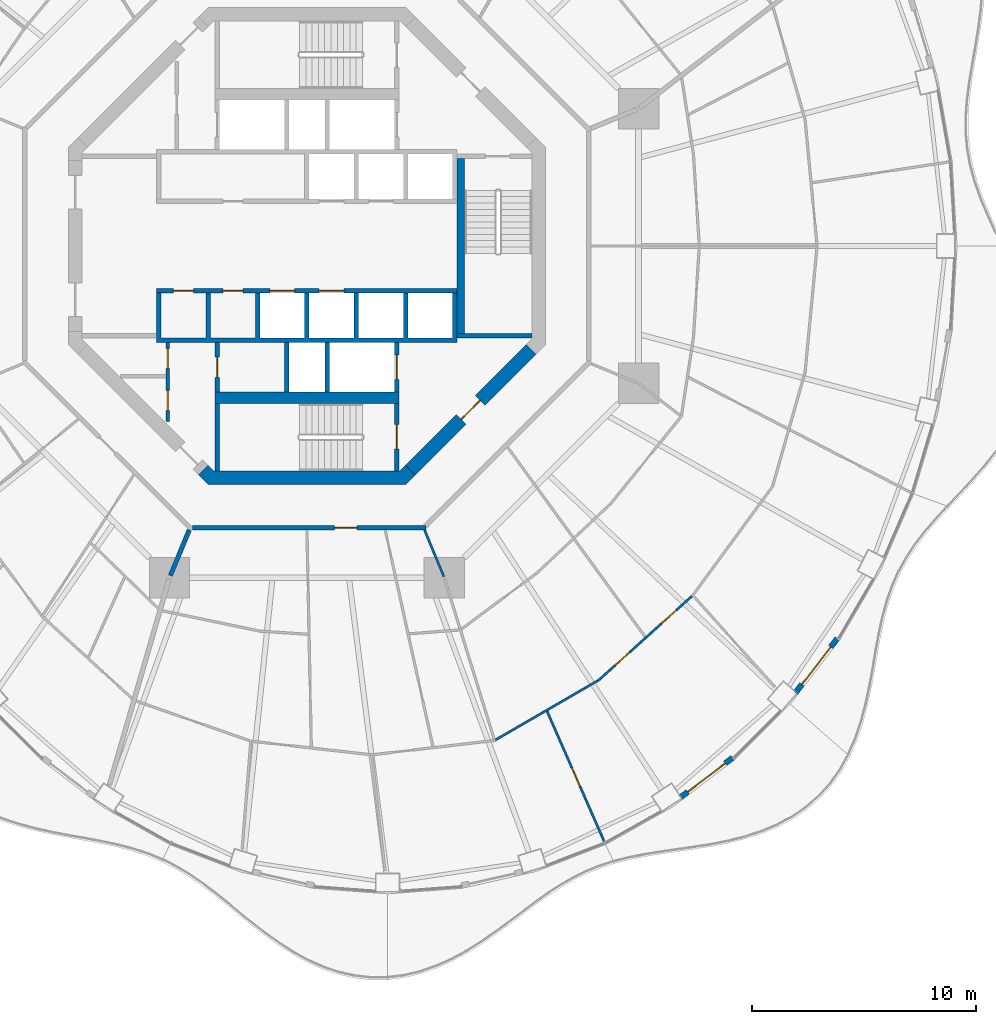
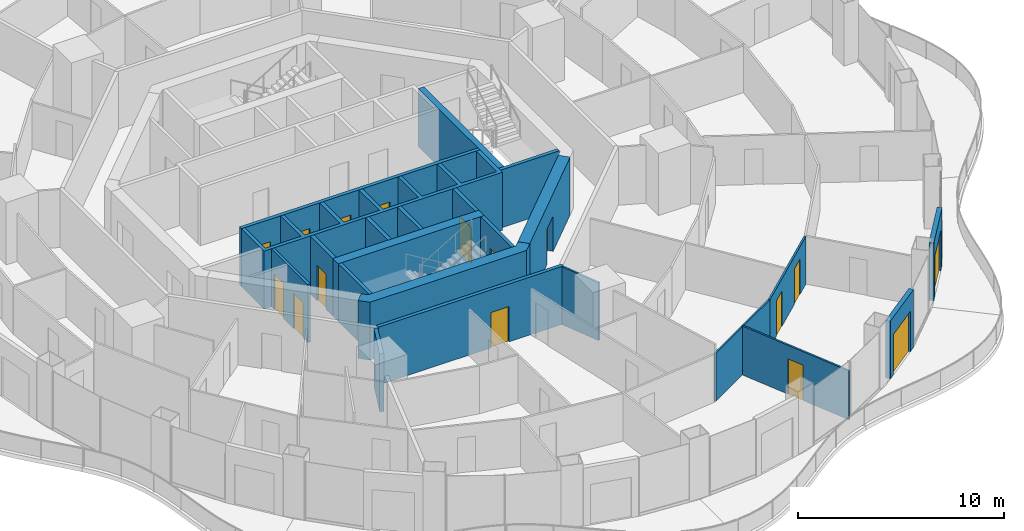
# One storey, part 12 of 19: 22 walls, 16 doors, 16 openings.
"""IFC4 building model written with IfcOpenShell, lengths in metres."""

from ifc_helpers import new_model, si_unit, direction, frame, frame_2d, origin, place, context, subcontext, project, spatial, polyline, rectangle, outline, extrude, material, layer, layer_set, type_object, element, fill, save


model = new_model("IFC4")

# Units and contexts
model_context = context("Model", 3, precision=1e-05, world=origin(), true_north=direction((0.0, 1.0)))
body_context = subcontext(model_context, "Body", "Model", "MODEL_VIEW")
ifc_project = project(units=[si_unit("LENGTHUNIT", "METRE"), si_unit("AREAUNIT", "SQUARE_METRE"), si_unit("VOLUMEUNIT", "CUBIC_METRE"), si_unit("PLANEANGLEUNIT", "RADIAN"), si_unit("MASSUNIT", "GRAM", prefix="KILO")], contexts=[model_context])

# Site, building, storey
site_placement = place(None, origin())
site = spatial("IfcSite", under=ifc_project, at=site_placement, CompositionType="ELEMENT")
building_placement = place(site_placement, origin())
building = spatial("IfcBuilding", under=site, at=building_placement, Name="Nagisa Residences", CompositionType="ELEMENT")
storey_placement = place(building_placement, frame((0.0, 0.0, 199.199951171875)))
storey = spatial("IfcBuildingStorey", under=building, at=storey_placement, Name="L50", CompositionType="ELEMENT", Elevation=199.199951171875)

# Wall
ifc_material_1 = material(Name="Gypsum board on steel studs", Category="steel")
ifc_layer_1 = layer(ifc_material_1, 0.199951171875)
ifc_layer_set_1 = layer_set([ifc_layer_1], Name="Apartment compartment wall EI60 200")
wall_type_1 = type_object("IfcWallType", Name="Apartment compartment wall EI60 200", PredefinedType="PARTITIONING", material=ifc_layer_set_1)
wall_1_placement = place(storey_placement, frame((-5.24267578125, -12.6572265625, 0.0), z_axis=(0.0, 0.0, 1.0), x_axis=(-0.382707856524, -0.923869415315, 0.0)))
element("IfcWall", 1, at=wall_1_placement, inside=storey, type_object=wall_type_1, Name="wall:L50:u04", PredefinedType="PARTITIONING", context=body_context, shape_type="SweptSolid", body=[
    extrude(rectangle(XDim=2.2001953125, YDim=0.199951171875, at=frame_2d((1.10009765625, 0.0))), origin(), (0.0, 0.0, 1.0), 3.43994140625),
])

# Wall, opening, door
ifc_material_2 = material(Name="Gypsum board on steel studs", Category="steel")
ifc_layer_2 = layer(ifc_material_2, 0.199951171875)
ifc_layer_set_2 = layer_set([ifc_layer_2], Name="Apartment entry wall EI60 200")
wall_type_2 = type_object("IfcWallType", Name="Apartment entry wall EI60 200", PredefinedType="PARTITIONING", material=ifc_layer_set_2)
wall_2_placement = place(storey_placement, frame((-5.1044921875, -12.564697265625, 0.0), z_axis=(0.0, 0.0, 1.0), x_axis=(1.0, 0.0, 0.0)))
wall_2 = element("IfcWall", 2, at=wall_2_placement, inside=storey, type_object=wall_type_2, Name="wall:L50:u12", PredefinedType="PARTITIONING", context=body_context, shape_type="SweptSolid", body=[
    extrude(rectangle(XDim=10.408935546875, YDim=0.199951171875, at=frame_2d((5.20458984375, 0.0))), origin(), (0.0, 0.0, 1.0), 3.43994140625),
])
opening_1_placement = place(wall_2_placement, frame((6.33935546875, 0.0, 0.0)))
opening_1 = element("IfcOpeningElement", 3, at=opening_1_placement, cuts=wall_2, Name="Opening L50-U01", PredefinedType="OPENING", context=body_context, shape_type="SweptSolid", body=[
    extrude(rectangle(XDim=1.0, YDim=2.10009765625, at=frame_2d((0.5, 1.050048828125))), frame((0.0, 0.10986328125, 0.0), z_axis=(0.0, -1.0, 0.0), x_axis=(1.0, 0.0, 0.0)), (0.0, 0.0, 1.0), 0.219970703125),
])
ifc_material_3 = material(Name="Timber fire door set", Category="wood")
door_type_1 = type_object("IfcDoorType", Name="Apartment entry door FD30S 1000x2100", OperationType="NOTDEFINED", PredefinedType="DOOR", material=ifc_material_3)
door_1_placement = place(opening_1_placement, frame((1.0, 0.0, 0.0), x_axis=(-1.0, 0.0, 0.0)))
door_1 = element("IfcDoor", 4, at=door_1_placement, inside=storey, type_object=door_type_1, Name="Entry door, Apartment 50A", OperationType="SINGLE_SWING_RIGHT", OverallHeight=2.10009765625, OverallWidth=1.0, PredefinedType="DOOR", context=body_context, shape_type="SweptSolid", body=[
    extrude(rectangle(XDim=1.0, YDim=2.10009765625, at=frame_2d((0.5, 1.050048828125))), frame((0.0, 0.02490234375, 0.0), z_axis=(0.0, -1.0, 0.0), x_axis=(1.0, 0.0, 0.0)), (0.0, 0.0, 1.0), 0.050048828125),
])
fill(opening_1, door_1)

# Walls
ifc_material_4 = material(Name="Gypsum board on steel studs", Category="steel")
ifc_layer_3 = layer(ifc_material_4, 0.10009765625)
ifc_layer_set_3 = layer_set([ifc_layer_3], Name="Apartment partition 100")
wall_type_3 = type_object("IfcWallType", Name="Apartment partition 100", PredefinedType="PARTITIONING", material=ifc_layer_set_3)
wall_3_placement = place(storey_placement, frame((5.24267578125, -12.6572265625, 0.0), z_axis=(0.0, 0.0, 1.0), x_axis=(0.382719158442, -0.923864733477, 0.0)))
element("IfcWall", 5, at=wall_3_placement, inside=storey, type_object=wall_type_3, Name="wall:L50:u76", PredefinedType="PARTITIONING", context=body_context, shape_type="SweptSolid", body=[
    extrude(rectangle(XDim=2.25, YDim=0.10009765625, at=frame_2d((1.125, 0.0))), origin(), (0.0, 0.0, 1.0), 3.43994140625),
])
wall_4_placement = place(storey_placement, frame((8.405029296875, -22.01318359375, 0.0), z_axis=(0.0, 0.0, 1.0), x_axis=(0.865277177388, 0.501293732547, 0.0)))
element("IfcWall", 6, at=wall_4_placement, inside=storey, type_object=wall_type_3, Name="wall:L50:u79", PredefinedType="PARTITIONING", context=body_context, shape_type="SweptSolid", body=[
    extrude(rectangle(XDim=5.27001953125, YDim=0.10009765625, at=frame_2d((2.635009765625, 0.0))), origin(), (0.0, 0.0, 1.0), 2.837158203125),
])

# Wall, opening, door
wall_5_placement = place(storey_placement, frame((10.705078125, -20.738037109375, 0.0), z_axis=(0.0, 0.0, 1.0), x_axis=(0.401740633891, -0.915753494714, 0.0)))
wall_5 = element("IfcWall", 7, at=wall_5_placement, inside=storey, type_object=wall_type_3, Name="wall:L50:u80", PredefinedType="PARTITIONING", context=body_context, shape_type="SweptSolid", body=[
    extrude(rectangle(XDim=6.4453125, YDim=0.10009765625, at=frame_2d((3.22265625, 0.0))), origin(), (0.0, 0.0, 1.0), 2.905029296875),
])
opening_2_placement = place(wall_5_placement, frame((2.772705078125, 0.0, 0.0)))
opening_2 = element("IfcOpeningElement", 8, at=opening_2_placement, cuts=wall_5, Name="Opening L50-U09", PredefinedType="OPENING", context=body_context, shape_type="SweptSolid", body=[
    extrude(rectangle(XDim=0.89990234375, YDim=2.10009765625, at=frame_2d((0.449951171875, 1.050048828125))), frame((0.0, 0.06005859375, 0.0), z_axis=(0.0, -1.0, 0.0), x_axis=(1.0, 0.0, 0.0)), (0.0, 0.0, 1.0), 0.1201171875),
])
ifc_material_5 = material(Name="Timber door set", Category="wood")
door_type_2 = type_object("IfcDoorType", Name="Apartment door 900x2100", OperationType="NOTDEFINED", PredefinedType="DOOR", material=ifc_material_5)
door_2_placement = place(opening_2_placement, origin())
door_2 = element("IfcDoor", 9, at=door_2_placement, inside=storey, type_object=door_type_2, Name="Door to living room, Apartment 50A", OperationType="SINGLE_SWING_LEFT", OverallHeight=2.10009765625, OverallWidth=0.89990234375, PredefinedType="DOOR", context=body_context, shape_type="SweptSolid", body=[
    extrude(rectangle(XDim=0.89990234375, YDim=2.10009765625, at=frame_2d((0.449951171875, 1.050048828125))), frame((0.0, 0.02490234375, 0.0), z_axis=(0.0, -1.0, 0.0), x_axis=(1.0, 0.0, 0.0)), (0.0, 0.0, 1.0), 0.050048828125),
])
fill(opening_2, door_2)

# Wall, openings, doors
wall_6_placement = place(storey_placement, frame((12.97119140625, -19.3798828125, 0.0), z_axis=(0.0, 0.0, 1.0), x_axis=(0.742768881471, 0.669547898748, 0.0)))
wall_6 = element("IfcWall", 10, at=wall_6_placement, inside=storey, type_object=wall_type_3, Name="wall:L50:u82", PredefinedType="PARTITIONING", context=body_context, shape_type="SweptSolid", body=[
    extrude(rectangle(XDim=5.6416015625, YDim=0.10009765625, at=frame_2d((2.82080078125, 0.0))), origin(), (0.0, 0.0, 1.0), 2.837158203125),
])
opening_3_placement = place(wall_6_placement, frame((1.010498046875, 0.0, 0.0)))
opening_3 = element("IfcOpeningElement", 11, at=opening_3_placement, cuts=wall_6, Name="Opening L50-U13", PredefinedType="OPENING", context=body_context, shape_type="SweptSolid", body=[
    extrude(rectangle(XDim=0.89990234375, YDim=2.10009765625, at=frame_2d((0.449951171875, 1.050048828125))), frame((0.0, 0.06005859375, 0.0), z_axis=(0.0, -1.0, 0.0), x_axis=(1.0, 0.0, 0.0)), (0.0, 0.0, 1.0), 0.1201171875),
])
opening_4_placement = place(wall_6_placement, frame((3.806396484375, 0.0, 0.0)))
opening_4 = element("IfcOpeningElement", 12, at=opening_4_placement, cuts=wall_6, Name="Opening L50-U14", PredefinedType="OPENING", context=body_context, shape_type="SweptSolid", body=[
    extrude(rectangle(XDim=0.89990234375, YDim=2.10009765625, at=frame_2d((0.449951171875, 1.050048828125))), frame((0.0, 0.06005859375, 0.0), z_axis=(0.0, -1.0, 0.0), x_axis=(1.0, 0.0, 0.0)), (0.0, 0.0, 1.0), 0.1201171875),
])
door_3_placement = place(opening_3_placement, origin())
door_3 = element("IfcDoor", 13, at=door_3_placement, inside=storey, type_object=door_type_2, Name="Door to kitchen, Apartment 50A", OperationType="SINGLE_SWING_LEFT", OverallHeight=2.10009765625, OverallWidth=0.89990234375, PredefinedType="DOOR", context=body_context, shape_type="SweptSolid", body=[
    extrude(rectangle(XDim=0.89990234375, YDim=2.10009765625, at=frame_2d((0.449951171875, 1.050048828125))), frame((0.0, 0.02490234375, 0.0), z_axis=(0.0, -1.0, 0.0), x_axis=(1.0, 0.0, 0.0)), (0.0, 0.0, 1.0), 0.050048828125),
])
fill(opening_3, door_3)
door_4_placement = place(opening_4_placement, origin())
door_4 = element("IfcDoor", 14, at=door_4_placement, inside=storey, type_object=door_type_2, Name="Door to dining room, Apartment 50A", OperationType="SINGLE_SWING_RIGHT", OverallHeight=2.10009765625, OverallWidth=0.89990234375, PredefinedType="DOOR", context=body_context, shape_type="SweptSolid", body=[
    extrude(rectangle(XDim=0.89990234375, YDim=2.10009765625, at=frame_2d((0.449951171875, 1.050048828125))), frame((0.0, 0.02490234375, 0.0), z_axis=(0.0, -1.0, 0.0), x_axis=(1.0, 0.0, 0.0)), (0.0, 0.0, 1.0), 0.050048828125),
])
fill(opening_4, door_4)

# Wall, opening, door
ifc_material_6 = material(Name="Precast concrete C40/50", Category="concrete")
ifc_layer_4 = layer(ifc_material_6, 0.25)
ifc_layer_set_4 = layer_set([ifc_layer_4], Name="BALCONY DOOR WALL 250")
wall_type_4 = type_object("IfcWallType", Name="BALCONY DOOR WALL 250", PredefinedType="SOLIDWALL", material=ifc_layer_set_4)
wall_7_placement = place(storey_placement, frame((18.9716796875, -22.80859375, 0.0), z_axis=(0.0, 0.0, 1.0), x_axis=(-0.796055733703, -0.60522332146, 0.0)))
wall_7 = element("IfcWall", 15, at=wall_7_placement, inside=storey, type_object=wall_type_4, Name="wall:L50:bay40", PredefinedType="SOLIDWALL", context=body_context, shape_type="SweptSolid", body=[
    extrude(rectangle(XDim=2.9169921875, YDim=0.25, at=frame_2d((1.45849609375, 0.0))), origin(), (0.0, 0.0, 1.0), 3.43994140625),
])
opening_5_placement = place(wall_7_placement, frame((0.408447265625, 0.0, 0.0)))
opening_5 = element("IfcOpeningElement", 16, at=opening_5_placement, cuts=wall_7, Name="Opening BD-L50-14", PredefinedType="OPENING", context=body_context, shape_type="SweptSolid", body=[
    extrude(rectangle(XDim=2.10009765625, YDim=2.39990234375, at=frame_2d((1.050048828125, 1.199951171875))), frame((0.0, 0.135009765625, 0.0), z_axis=(0.0, -1.0, 0.0), x_axis=(1.0, 0.0, 0.0)), (0.0, 0.0, 1.0), 0.27001953125),
])
ifc_material_7 = material(Name="Aluminium and clear glass", Category="aluminium")
door_type_3 = type_object("IfcDoorType", Name="BALCONY SLIDING DOOR 2100x2400", OperationType="SLIDING_TO_LEFT", PredefinedType="DOOR", material=ifc_material_7)
door_5_placement = place(opening_5_placement, origin())
door_5 = element("IfcDoor", 17, at=door_5_placement, inside=storey, type_object=door_type_3, Name="door:L50:bay40", OperationType="SLIDING_TO_LEFT", OverallHeight=2.39990234375, OverallWidth=2.10009765625, PredefinedType="DOOR", context=body_context, shape_type="SweptSolid", body=[
    extrude(rectangle(XDim=2.10009765625, YDim=2.39990234375, at=frame_2d((1.050048828125, 1.199951171875))), frame((0.0, 0.02490234375, 0.0), z_axis=(0.0, -1.0, 0.0), x_axis=(1.0, 0.0, 0.0)), (0.0, 0.0, 1.0), 0.050048828125),
])
fill(opening_5, door_5)

wall_8_placement = place(storey_placement, frame((23.63232421875, -17.501708984375, 0.0), z_axis=(0.0, 0.0, 1.0), x_axis=(-0.610437428894, -0.79206448311, 0.0)))
wall_8 = element("IfcWall", 18, at=wall_8_placement, inside=storey, type_object=wall_type_4, Name="wall:L50:bay42", PredefinedType="SOLIDWALL", context=body_context, shape_type="SweptSolid", body=[
    extrude(rectangle(XDim=3.03515625, YDim=0.25, at=frame_2d((1.517578125, 0.0))), origin(), (0.0, 0.0, 1.0), 3.43994140625),
])
opening_6_placement = place(wall_8_placement, frame((0.467529296875, 0.0, 0.0)))
opening_6 = element("IfcOpeningElement", 19, at=opening_6_placement, cuts=wall_8, Name="Opening BD-L50-15", PredefinedType="OPENING", context=body_context, shape_type="SweptSolid", body=[
    extrude(rectangle(XDim=2.10009765625, YDim=2.39990234375, at=frame_2d((1.050048828125, 1.199951171875))), frame((0.0, 0.135009765625, 0.0), z_axis=(0.0, -1.0, 0.0), x_axis=(1.0, 0.0, 0.0)), (0.0, 0.0, 1.0), 0.27001953125),
])
door_6_placement = place(opening_6_placement, origin())
door_6 = element("IfcDoor", 20, at=door_6_placement, inside=storey, type_object=door_type_3, Name="door:L50:bay42", OperationType="SLIDING_TO_LEFT", OverallHeight=2.39990234375, OverallWidth=2.10009765625, PredefinedType="DOOR", context=body_context, shape_type="SweptSolid", body=[
    extrude(rectangle(XDim=2.10009765625, YDim=2.39990234375, at=frame_2d((1.050048828125, 1.199951171875))), frame((0.0, 0.02490234375, 0.0), z_axis=(0.0, -1.0, 0.0), x_axis=(1.0, 0.0, 0.0)), (0.0, 0.0, 1.0), 0.050048828125),
])
fill(opening_6, door_6)

# Wall, openings, doors
ifc_material_8 = material(Name="Gypsum board on steel studs", Category="steel")
ifc_layer_5 = layer(ifc_material_8, 0.14990234375)
ifc_layer_set_5 = layer_set([ifc_layer_5], Name="Core partition 150")
wall_type_5 = type_object("IfcWallType", Name="Core partition 150", PredefinedType="PARTITIONING", material=ifc_layer_set_5)
wall_9_placement = place(storey_placement, frame((-6.199951171875, -7.826904296875, 0.0), z_axis=(0.0, 0.0, 1.0), x_axis=(0.0, 1.0, 0.0)))
wall_9 = element("IfcWall", 21, at=wall_9_placement, inside=storey, type_object=wall_type_5, Name="wall:L50:SWp", PredefinedType="PARTITIONING", context=body_context, shape_type="SweptSolid", body=[
    extrude(rectangle(XDim=3.52685546875, YDim=0.14990234375, at=frame_2d((1.763427734375, 0.0))), origin(), (0.0, 0.0, 1.0), 3.43994140625),
])
opening_7_placement = place(wall_9_placement, frame((2.364501953125, 0.0, 0.0)))
opening_7 = element("IfcOpeningElement", 22, at=opening_7_placement, cuts=wall_9, Name="Opening L50-C12", PredefinedType="OPENING", context=body_context, shape_type="SweptSolid", body=[
    extrude(rectangle(XDim=0.89990234375, YDim=2.10009765625, at=frame_2d((0.449951171875, 1.050048828125))), frame((0.0, 0.0849609375, 0.0), z_axis=(0.0, -1.0, 0.0), x_axis=(1.0, 0.0, 0.0)), (0.0, 0.0, 1.0), 0.169921875),
])
opening_8_placement = place(wall_9_placement, frame((0.488525390625, 0.0, 0.0)))
opening_8 = element("IfcOpeningElement", 23, at=opening_8_placement, cuts=wall_9, Name="Opening L50-C13", PredefinedType="OPENING", context=body_context, shape_type="SweptSolid", body=[
    extrude(rectangle(XDim=0.89990234375, YDim=2.10009765625, at=frame_2d((0.449951171875, 1.050048828125))), frame((0.0, 0.0849609375, 0.0), z_axis=(0.0, -1.0, 0.0), x_axis=(1.0, 0.0, 0.0)), (0.0, 0.0, 1.0), 0.169921875),
])
ifc_material_9 = material(Name="Steel fire door", Category="steel")
door_type_4 = type_object("IfcDoorType", Name="Fire door EI30 900x2100 single swing", OperationType="NOTDEFINED", PredefinedType="DOOR", material=ifc_material_9)
door_7_placement = place(opening_7_placement, origin())
door_7 = element("IfcDoor", 24, at=door_7_placement, inside=storey, type_object=door_type_4, Name="Cleaner store door L50", OperationType="SINGLE_SWING_LEFT", OverallHeight=2.10009765625, OverallWidth=0.89990234375, PredefinedType="DOOR", context=body_context, shape_type="SweptSolid", body=[
    extrude(rectangle(XDim=0.89990234375, YDim=2.10009765625, at=frame_2d((0.449951171875, 1.050048828125))), frame((0.0, 0.02490234375, 0.0), z_axis=(0.0, -1.0, 0.0), x_axis=(1.0, 0.0, 0.0)), (0.0, 0.0, 1.0), 0.050048828125),
])
fill(opening_7, door_7)
door_8_placement = place(opening_8_placement, origin())
door_8 = element("IfcDoor", 25, at=door_8_placement, inside=storey, type_object=door_type_4, Name="Package room door L50", OperationType="SINGLE_SWING_LEFT", OverallHeight=2.10009765625, OverallWidth=0.89990234375, PredefinedType="DOOR", context=body_context, shape_type="SweptSolid", body=[
    extrude(rectangle(XDim=0.89990234375, YDim=2.10009765625, at=frame_2d((0.449951171875, 1.050048828125))), frame((0.0, 0.02490234375, 0.0), z_axis=(0.0, -1.0, 0.0), x_axis=(1.0, 0.0, 0.0)), (0.0, 0.0, 1.0), 0.050048828125),
])
fill(opening_8, door_8)

# Wall, opening, door
ifc_material_10 = material(Name="Concrete C60", Category="concrete")
ifc_layer_6 = layer(ifc_material_10, 0.60009765625)
ifc_layer_set_6 = layer_set([ifc_layer_6], Name="Core shear wall 600")
wall_type_6 = type_object("IfcWallType", Name="Core shear wall 600", PredefinedType="SHEAR", material=ifc_layer_set_6)
wall_10_placement = place(storey_placement, frame((4.613037109375, -9.98828125, 0.0), z_axis=(0.0, 0.0, 1.0), x_axis=(0.707106781187, 0.707106781187, 0.0)))
wall_10 = element("IfcWall", 26, at=wall_10_placement, inside=storey, type_object=wall_type_6, Name="wall:L50:core:flat7", PredefinedType="SHEAR", context=body_context, shape_type="SweptSolid", body=[
    extrude(rectangle(XDim=7.601806640625, YDim=0.60009765625, at=frame_2d((3.80078125, 0.0))), origin(), (0.0, 0.0, 1.0), 3.43994140625),
])
opening_9_placement = place(wall_10_placement, frame((3.200927734375, 0.0, 0.0)))
opening_9 = element("IfcOpeningElement", 27, at=opening_9_placement, cuts=wall_10, Name="Opening L50-C19", PredefinedType="OPENING", context=body_context, shape_type="SweptSolid", body=[
    extrude(rectangle(XDim=1.199951171875, YDim=2.10009765625, at=frame_2d((0.60009765625, 1.050048828125))), frame((0.0, 0.31005859375, 0.0), z_axis=(0.0, -1.0, 0.0), x_axis=(1.0, 0.0, 0.0)), (0.0, 0.0, 1.0), 0.6201171875),
])
ifc_material_11 = material(Name="Steel fire door", Category="steel")
door_type_5 = type_object("IfcDoorType", Name="Fire door EI60 1200x2100 single swing", OperationType="NOTDEFINED", PredefinedType="DOOR", material=ifc_material_11)
door_9_placement = place(opening_9_placement, origin())
door_9 = element("IfcDoor", 28, at=door_9_placement, inside=storey, type_object=door_type_5, Name="Firefighting lobby 2 door L50", OperationType="SINGLE_SWING_RIGHT", OverallHeight=2.10009765625, OverallWidth=1.199951171875, PredefinedType="DOOR", context=body_context, shape_type="SweptSolid", body=[
    extrude(rectangle(XDim=1.199951171875, YDim=2.10009765625, at=frame_2d((0.60009765625, 1.050048828125))), frame((0.0, 0.02490234375, 0.0), z_axis=(0.0, -1.0, 0.0), x_axis=(1.0, 0.0, 0.0)), (0.0, 0.0, 1.0), 0.050048828125),
])
fill(opening_9, door_9)

# Wall
wall_11_placement = place(storey_placement, origin())
element("IfcWall", 29, at=wall_11_placement, inside=storey, type_object=wall_type_6, Name="wall:L50:core:flat6", PredefinedType="SHEAR", context=body_context, shape_type="SweptSolid", body=[
    extrude(outline(polyline([(-4.15234375, -10.024658203125), (4.15234375, -10.024658203125), (4.40087890625, -9.776123046875), (4.8251953125, -10.200439453125), (4.40087890625, -10.62451171875), (-4.40087890625, -10.62451171875), (-4.8251953125, -10.200439453125), (-4.40087890625, -9.776123046875), (-4.15234375, -10.024658203125)])), origin(), (0.0, 0.0, 1.0), 3.43994140625),
])

# Wall, opening, door
ifc_material_12 = material(Name="Concrete C60", Category="concrete")
ifc_layer_7 = layer(ifc_material_12, 0.199951171875)
ifc_layer_set_7 = layer_set([ifc_layer_7], Name="Lift shaft wall 200")
wall_type_7 = type_object("IfcWallType", Name="Lift shaft wall 200", PredefinedType="SOLIDWALL", material=ifc_layer_set_7)
wall_12_placement = place(storey_placement, frame((4.0, -6.5, 0.0), z_axis=(0.0, 0.0, 1.0), x_axis=(0.0, 1.0, 0.0)))
wall_12 = element("IfcWall", 30, at=wall_12_placement, inside=storey, type_object=wall_type_7, Name="wall:L50:Sb3", PredefinedType="SOLIDWALL", context=body_context, shape_type="SweptSolid", body=[
    extrude(rectangle(XDim=2.199951171875, YDim=0.199951171875, at=frame_2d((1.10009765625, 0.0))), origin(), (0.0, 0.0, 1.0), 3.43994140625),
])
opening_10_placement = place(wall_12_placement, frame((0.550048828125, 0.0, 0.0)))
opening_10 = element("IfcOpeningElement", 31, at=opening_10_placement, cuts=wall_12, Name="Opening L50-C06", PredefinedType="OPENING", context=body_context, shape_type="SweptSolid", body=[
    extrude(rectangle(XDim=1.10009765625, YDim=2.10009765625, at=frame_2d((0.550048828125, 1.050048828125))), frame((0.0, 0.10986328125, 0.0), z_axis=(0.0, -1.0, 0.0), x_axis=(1.0, 0.0, 0.0)), (0.0, 0.0, 1.0), 0.219970703125),
])
ifc_material_13 = material(Name="Stainless steel", Category="steel")
door_type_6 = type_object("IfcDoorType", Name="Lift landing door 1100x2100", OperationType="DOUBLE_DOOR_SLIDING", PredefinedType="DOOR", material=ifc_material_13)
door_10_placement = place(opening_10_placement, origin())
door_10 = element("IfcDoor", 32, at=door_10_placement, inside=storey, type_object=door_type_6, Name="Landing door FL2 L50", OperationType="DOUBLE_DOOR_SLIDING", OverallHeight=2.10009765625, OverallWidth=1.10009765625, PredefinedType="DOOR", context=body_context, shape_type="SweptSolid", body=[
    extrude(rectangle(XDim=1.10009765625, YDim=2.10009765625, at=frame_2d((0.550048828125, 1.050048828125))), frame((0.0, 0.02490234375, 0.0), z_axis=(0.0, -1.0, 0.0), x_axis=(1.0, 0.0, 0.0)), (0.0, 0.0, 1.0), 0.050048828125),
])
fill(opening_10, door_10)

wall_13_placement = place(storey_placement, frame((-4.0, -6.5, 0.0), z_axis=(0.0, 0.0, 1.0), x_axis=(0.0, 1.0, 0.0)))
wall_13 = element("IfcWall", 33, at=wall_13_placement, inside=storey, type_object=wall_type_7, Name="wall:L50:Sb4", PredefinedType="SOLIDWALL", context=body_context, shape_type="SweptSolid", body=[
    extrude(rectangle(XDim=2.199951171875, YDim=0.199951171875, at=frame_2d((1.10009765625, 0.0))), origin(), (0.0, 0.0, 1.0), 3.43994140625),
])
opening_11_placement = place(wall_13_placement, frame((0.64990234375, 0.0, 0.0)))
opening_11 = element("IfcOpeningElement", 34, at=opening_11_placement, cuts=wall_13, Name="Opening L50-C14", PredefinedType="OPENING", context=body_context, shape_type="SweptSolid", body=[
    extrude(rectangle(XDim=0.89990234375, YDim=2.10009765625, at=frame_2d((0.449951171875, 1.050048828125))), frame((0.0, 0.10986328125, 0.0), z_axis=(0.0, -1.0, 0.0), x_axis=(1.0, 0.0, 0.0)), (0.0, 0.0, 1.0), 0.219970703125),
])
door_11_placement = place(opening_11_placement, frame((0.89990234375, 0.0, 0.0), x_axis=(-1.0, 0.0, 0.0)))
door_11 = element("IfcDoor", 35, at=door_11_placement, inside=storey, type_object=door_type_4, Name="Refuse room door L50", OperationType="SINGLE_SWING_RIGHT", OverallHeight=2.10009765625, OverallWidth=0.89990234375, PredefinedType="DOOR", context=body_context, shape_type="SweptSolid", body=[
    extrude(rectangle(XDim=0.89990234375, YDim=2.10009765625, at=frame_2d((0.449951171875, 1.050048828125))), frame((0.0, 0.02490234375, 0.0), z_axis=(0.0, -1.0, 0.0), x_axis=(1.0, 0.0, 0.0)), (0.0, 0.0, 1.0), 0.050048828125),
])
fill(opening_11, door_11)

# Wall, openings, doors
wall_14_placement = place(storey_placement, frame((-6.699951171875, -2.0, 0.0), z_axis=(0.0, 0.0, 1.0), x_axis=(1.0, 0.0, 0.0)))
wall_14 = element("IfcWall", 36, at=wall_14_placement, inside=storey, type_object=wall_type_7, Name="wall:L50:Sfront", PredefinedType="SOLIDWALL", context=body_context, shape_type="SweptSolid", body=[
    extrude(rectangle(XDim=13.39990234375, YDim=0.199951171875, at=frame_2d((6.699951171875, 0.0))), origin(), (0.0, 0.0, 1.0), 3.43994140625),
])
opening_12_placement = place(wall_14_placement, frame((5.050048828125, 0.0, 0.0)))
opening_12 = element("IfcOpeningElement", 37, at=opening_12_placement, cuts=wall_14, Name="Opening L50-C03", PredefinedType="OPENING", context=body_context, shape_type="SweptSolid", body=[
    extrude(rectangle(XDim=1.10009765625, YDim=2.10009765625, at=frame_2d((0.550048828125, 1.050048828125))), frame((0.0, 0.10986328125, 0.0), z_axis=(0.0, -1.0, 0.0), x_axis=(1.0, 0.0, 0.0)), (0.0, 0.0, 1.0), 0.219970703125),
])
opening_13_placement = place(wall_14_placement, frame((7.25, 0.0, 0.0)))
opening_13 = element("IfcOpeningElement", 38, at=opening_13_placement, cuts=wall_14, Name="Opening L50-C04", PredefinedType="OPENING", context=body_context, shape_type="SweptSolid", body=[
    extrude(rectangle(XDim=1.10009765625, YDim=2.10009765625, at=frame_2d((0.550048828125, 1.050048828125))), frame((0.0, 0.10986328125, 0.0), z_axis=(0.0, -1.0, 0.0), x_axis=(1.0, 0.0, 0.0)), (0.0, 0.0, 1.0), 0.219970703125),
])
opening_14_placement = place(wall_14_placement, frame((0.75, 0.0, 0.0)))
opening_14 = element("IfcOpeningElement", 39, at=opening_14_placement, cuts=wall_14, Name="Opening L50-C16", PredefinedType="OPENING", context=body_context, shape_type="SweptSolid", body=[
    extrude(rectangle(XDim=0.89990234375, YDim=2.10009765625, at=frame_2d((0.449951171875, 1.050048828125))), frame((0.0, 0.10986328125, 0.0), z_axis=(0.0, -1.0, 0.0), x_axis=(1.0, 0.0, 0.0)), (0.0, 0.0, 1.0), 0.219970703125),
])
opening_15_placement = place(wall_14_placement, frame((2.949951171875, 0.0, 0.0)))
opening_15 = element("IfcOpeningElement", 40, at=opening_15_placement, cuts=wall_14, Name="Opening L50-C17", PredefinedType="OPENING", context=body_context, shape_type="SweptSolid", body=[
    extrude(rectangle(XDim=0.89990234375, YDim=2.10009765625, at=frame_2d((0.449951171875, 1.050048828125))), frame((0.0, 0.10986328125, 0.0), z_axis=(0.0, -1.0, 0.0), x_axis=(1.0, 0.0, 0.0)), (0.0, 0.0, 1.0), 0.219970703125),
])
door_12_placement = place(opening_14_placement, frame((0.89990234375, 0.0, 0.0), x_axis=(-1.0, 0.0, 0.0)))
door_12 = element("IfcDoor", 41, at=door_12_placement, inside=storey, type_object=door_type_4, Name="Recycling room door L50", OperationType="SINGLE_SWING_LEFT", OverallHeight=2.10009765625, OverallWidth=0.89990234375, PredefinedType="DOOR", context=body_context, shape_type="SweptSolid", body=[
    extrude(rectangle(XDim=0.89990234375, YDim=2.10009765625, at=frame_2d((0.449951171875, 1.050048828125))), frame((0.0, 0.02490234375, 0.0), z_axis=(0.0, -1.0, 0.0), x_axis=(1.0, 0.0, 0.0)), (0.0, 0.0, 1.0), 0.050048828125),
])
fill(opening_14, door_12)
door_13_placement = place(opening_15_placement, frame((0.89990234375, 0.0, 0.0), x_axis=(-1.0, 0.0, 0.0)))
door_13 = element("IfcDoor", 42, at=door_13_placement, inside=storey, type_object=door_type_4, Name="Stationery store door L50", OperationType="SINGLE_SWING_LEFT", OverallHeight=2.10009765625, OverallWidth=0.89990234375, PredefinedType="DOOR", context=body_context, shape_type="SweptSolid", body=[
    extrude(rectangle(XDim=0.89990234375, YDim=2.10009765625, at=frame_2d((0.449951171875, 1.050048828125))), frame((0.0, 0.02490234375, 0.0), z_axis=(0.0, -1.0, 0.0), x_axis=(1.0, 0.0, 0.0)), (0.0, 0.0, 1.0), 0.050048828125),
])
fill(opening_15, door_13)
door_14_placement = place(opening_12_placement, origin())
door_14 = element("IfcDoor", 43, at=door_14_placement, inside=storey, type_object=door_type_6, Name="Landing door B3 L50", OperationType="DOUBLE_DOOR_SLIDING", OverallHeight=2.10009765625, OverallWidth=1.10009765625, PredefinedType="DOOR", context=body_context, shape_type="SweptSolid", body=[
    extrude(rectangle(XDim=1.10009765625, YDim=2.10009765625, at=frame_2d((0.550048828125, 1.050048828125))), frame((0.0, 0.02490234375, 0.0), z_axis=(0.0, -1.0, 0.0), x_axis=(1.0, 0.0, 0.0)), (0.0, 0.0, 1.0), 0.050048828125),
])
fill(opening_12, door_14)
door_15_placement = place(opening_13_placement, origin())
door_15 = element("IfcDoor", 44, at=door_15_placement, inside=storey, type_object=door_type_6, Name="Landing door B4 L50", OperationType="DOUBLE_DOOR_SLIDING", OverallHeight=2.10009765625, OverallWidth=1.10009765625, PredefinedType="DOOR", context=body_context, shape_type="SweptSolid", body=[
    extrude(rectangle(XDim=1.10009765625, YDim=2.10009765625, at=frame_2d((0.550048828125, 1.050048828125))), frame((0.0, 0.02490234375, 0.0), z_axis=(0.0, -1.0, 0.0), x_axis=(1.0, 0.0, 0.0)), (0.0, 0.0, 1.0), 0.050048828125),
])
fill(opening_13, door_15)

# Walls
for number, where, z_axis, x_axis, name in (
    (45, (-0.89990234375, -6.5, 0.0), (0.0, 0.0, 1.0), (0.0, 1.0, 0.0), "wall:L50:Sb1"),
    (46, (0.89990234375, -6.5, 0.0), (0.0, 0.0, 1.0), (0.0, 1.0, 0.0), "wall:L50:Sb2"),
):
    element("IfcWall", number, at=place(storey_placement, frame(where, z_axis=z_axis, x_axis=x_axis)), inside=storey, type_object=wall_type_7, Name=name, PredefinedType="SOLIDWALL", context=body_context, shape_type="SweptSolid", body=[
        extrude(rectangle(XDim=2.199951171875, YDim=0.199951171875, at=frame_2d((1.10009765625, 0.0))), origin(), (0.0, 0.0, 1.0), 3.43994140625),
    ])
wall_15_placement = place(storey_placement, origin())
element("IfcWall", 47, at=wall_15_placement, inside=storey, type_object=wall_type_7, Name="wall:L50:Sback", PredefinedType="SOLIDWALL", context=body_context, shape_type="SweptSolid", body=[
    extrude(outline(polyline([(-6.699951171875, -2.10009765625), (-6.5, -2.10009765625), (-6.5, -4.10009765625), (-4.5, -4.10009765625), (-4.5, -2.10009765625), (-4.300048828125, -2.10009765625), (-4.300048828125, -4.10009765625), (-2.300048828125, -4.10009765625), (-2.300048828125, -2.10009765625), (-2.10009765625, -2.10009765625), (-2.10009765625, -4.10009765625), (-0.10009765625, -4.10009765625), (-0.10009765625, -2.10009765625), (0.10009765625, -2.10009765625), (0.10009765625, -4.10009765625), (2.10009765625, -4.10009765625), (2.10009765625, -2.10009765625), (2.300048828125, -2.10009765625), (2.300048828125, -4.10009765625), (4.300048828125, -4.10009765625), (4.300048828125, -2.10009765625), (4.5, -2.10009765625), (4.5, -4.10009765625), (6.5, -4.10009765625), (6.5, -2.10009765625), (6.699951171875, -2.10009765625), (6.699951171875, -4.300048828125), (-6.699951171875, -4.300048828125), (-6.699951171875, -2.10009765625)])), origin(), (0.0, 0.0, 1.0), 3.43994140625),
])

# Wall, opening, door
ifc_material_14 = material(Name="Concrete C60", Category="concrete")
ifc_layer_8 = layer(ifc_material_14, 0.199951171875)
ifc_layer_set_8 = layer_set([ifc_layer_8], Name="Stair enclosure wall 200")
wall_type_8 = type_object("IfcWallType", Name="Stair enclosure wall 200", PredefinedType="SOLIDWALL", material=ifc_layer_set_8)
wall_16_placement = place(storey_placement, frame((4.0, -10.024658203125, 0.0), z_axis=(0.0, 0.0, 1.0), x_axis=(0.0, 1.0, 0.0)))
wall_16 = element("IfcWall", 48, at=wall_16_placement, inside=storey, type_object=wall_type_8, Name="wall:L50:SS_e", PredefinedType="SOLIDWALL", context=body_context, shape_type="SweptSolid", body=[
    extrude(rectangle(XDim=3.0, YDim=0.199951171875, at=frame_2d((1.5, 0.0))), origin(), (0.0, 0.0, 1.0), 3.43994140625),
])
opening_16_placement = place(wall_16_placement, frame((0.974609375, 0.0, 0.0)))
opening_16 = element("IfcOpeningElement", 49, at=opening_16_placement, cuts=wall_16, Name="Opening L50-C10", PredefinedType="OPENING", context=body_context, shape_type="SweptSolid", body=[
    extrude(rectangle(XDim=1.10009765625, YDim=2.10009765625, at=frame_2d((0.550048828125, 1.050048828125))), frame((0.0, 0.10986328125, 0.0), z_axis=(0.0, -1.0, 0.0), x_axis=(1.0, 0.0, 0.0)), (0.0, 0.0, 1.0), 0.219970703125),
])
ifc_material_15 = material(Name="Steel fire door", Category="steel")
door_type_7 = type_object("IfcDoorType", Name="Fire door EI90 1100x2100 single swing", OperationType="NOTDEFINED", PredefinedType="DOOR", material=ifc_material_15)
door_16_placement = place(opening_16_placement, origin())
door_16 = element("IfcDoor", 50, at=door_16_placement, inside=storey, type_object=door_type_7, Name="Stair door ST-S L50", OperationType="SINGLE_SWING_LEFT", OverallHeight=2.10009765625, OverallWidth=1.10009765625, PredefinedType="DOOR", context=body_context, shape_type="SweptSolid", body=[
    extrude(rectangle(XDim=1.10009765625, YDim=2.10009765625, at=frame_2d((0.550048828125, 1.050048828125))), frame((0.0, 0.02490234375, 0.0), z_axis=(0.0, -1.0, 0.0), x_axis=(1.0, 0.0, 0.0)), (0.0, 0.0, 1.0), 0.050048828125),
])
fill(opening_16, door_16)

# Walls
wall_17_placement = place(storey_placement, origin())
element("IfcWall", 51, at=wall_17_placement, inside=storey, type_object=wall_type_8, Name="wall:L50:SS_w", PredefinedType="SOLIDWALL", context=body_context, shape_type="SweptSolid", body=[
    extrude(outline(polyline([(-3.89990234375, -10.024658203125), (-4.10009765625, -10.024658203125), (-4.10009765625, -7.024658203125), (-3.89990234375, -7.024658203125), (-3.89990234375, -10.024658203125)])), origin(), (0.0, 0.0, 1.0), 3.43994140625),
])
wall_18_placement = place(storey_placement, origin())
element("IfcWall", 52, at=wall_18_placement, inside=storey, type_object=wall_type_8, Name="wall:L50:SS_n", PredefinedType="SOLIDWALL", context=body_context, shape_type="SweptSolid", body=[
    extrude(outline(polyline([(4.10009765625, -7.024658203125), (-4.10009765625, -7.024658203125), (-4.10009765625, -6.5), (4.10009765625, -6.5), (4.10009765625, -7.024658203125)])), origin(), (0.0, 0.0, 1.0), 3.43994140625),
])
wall_19_placement = place(storey_placement, origin())
element("IfcWall", 53, at=wall_19_placement, inside=storey, type_object=wall_type_8, Name="wall:L50:SE_w", PredefinedType="SOLIDWALL", context=body_context, shape_type="SweptSolid", body=[
    extrude(outline(polyline([(7.024658203125, -3.89990234375), (6.699951171875, -3.89990234375), (6.699951171875, 3.89990234375), (7.024658203125, 3.89990234375), (7.024658203125, -3.89990234375)])), origin(), (0.0, 0.0, 1.0), 3.43994140625),
])
wall_20_placement = place(storey_placement, origin())
element("IfcWall", 54, at=wall_20_placement, inside=storey, type_object=wall_type_8, Name="wall:L50:SE_s", PredefinedType="SOLIDWALL", context=body_context, shape_type="SweptSolid", body=[
    extrude(outline(polyline([(10.024658203125, -4.10009765625), (6.699951171875, -4.10009765625), (6.699951171875, -3.89990234375), (10.024658203125, -3.89990234375), (10.024658203125, -4.10009765625)])), origin(), (0.0, 0.0, 1.0), 3.43994140625),
])

save(model, "model.ifc")
